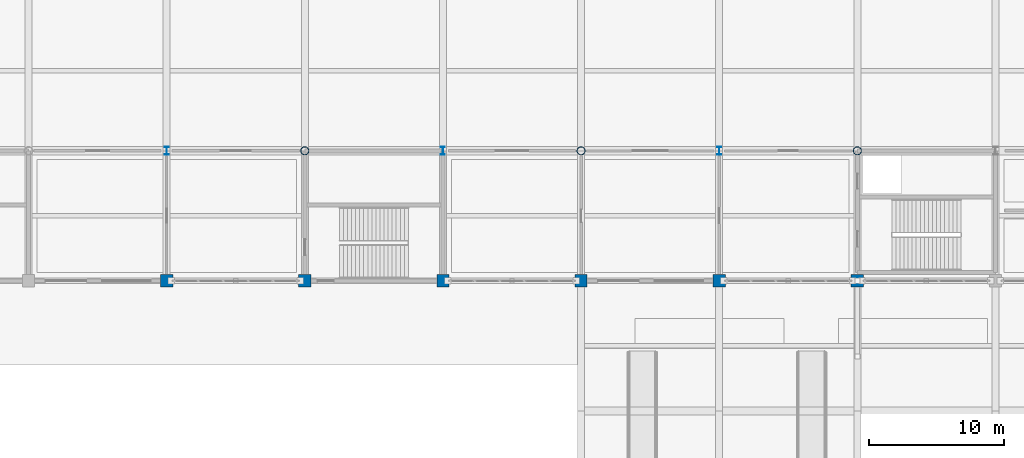
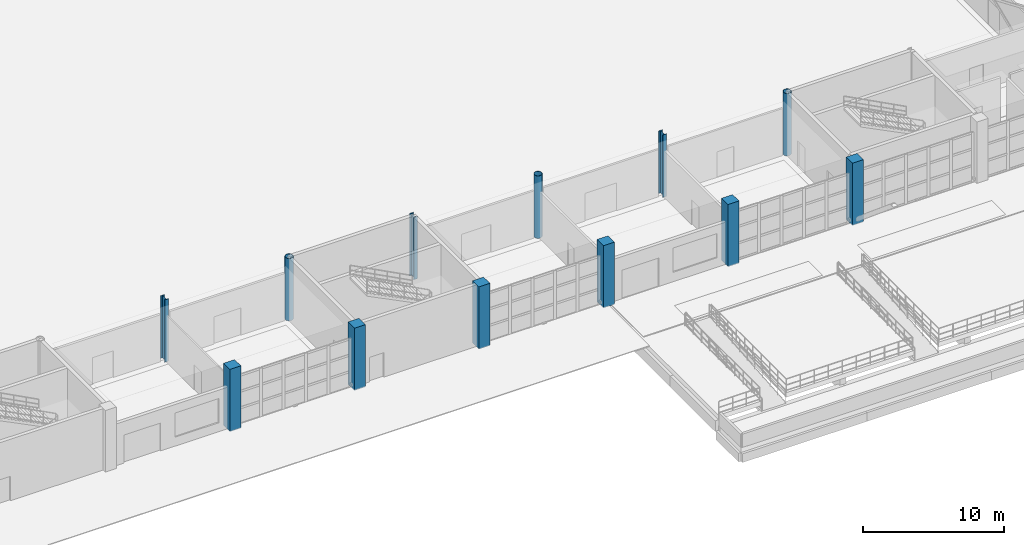
# One storey, part 4 of 124: 12 columns.
"""IFC4 building model written with IfcOpenShell, lengths in metres."""

import ifcopenshell
import ifcopenshell.guid

model = None  # the IFC model being written
_history = None  # IfcOwnerHistory: only IFC2X3 demands one
_inside = {}  # id of a spatial element -> (the spatial element, [elements in it])
_under = {}  # id of a project, library or spatial element -> (it, [spatial elements below it])
_declared = {}  # id of a project -> (the project, [libraries it declares])
_typed = {}  # id of a type object -> (the type object, [elements of that type])
_made_of = {}  # id of a material, layer set ... -> (it, [elements and type objects made of it])


def new_model(schema):
    """Start an empty IFC model of exactly this schema.

    Asked for "IFC4X3", IfcOpenShell would pick the latest addendum, in which some entities
    have other attributes; the version numbers below select the first issue.
    IFC2X3 requires an IfcOwnerHistory on every rooted entity: one is made here for all.
    """
    global model, _history
    if schema == "IFC4X3":
        model = ifcopenshell.file(schema_version=(4, 3, 0, 0))
    else:
        model = ifcopenshell.file(schema=schema)
    _inside.clear()
    _under.clear()
    _declared.clear()
    _typed.clear()
    _made_of.clear()
    _history = None
    if model.schema == "IFC2X3":
        org = make("IfcOrganization", Name="unknown")
        user = make(
            "IfcPersonAndOrganization",
            ThePerson=make("IfcPerson", FamilyName="unknown"),
            TheOrganization=org,
        )
        app = make(
            "IfcApplication",
            ApplicationDeveloper=org,
            Version="unknown",
            ApplicationFullName="unknown",
            ApplicationIdentifier="unknown",
        )
        _history = make(
            "IfcOwnerHistory",
            OwningUser=user,
            OwningApplication=app,
            ChangeAction="ADDED",
            CreationDate=0,
        )
    return model


def make(cls, **values):
    """One entity of the class cls with the attributes given. An attribute that is None is left unset."""
    return model.create_entity(
        cls, **{name: value for name, value in values.items() if value is not None}
    )


def rooted(cls, **values):
    """An entity with a GlobalId (a new one), such as an element, a storey or a relation."""
    return make(cls, GlobalId=ifcopenshell.guid.new(), OwnerHistory=_history, **values)


def si_unit(unit_type, name, prefix=None):
    """IfcSIUnit, for example si_unit("LENGTHUNIT", "METRE", prefix="MILLI")."""
    return make("IfcSIUnit", UnitType=unit_type, Prefix=prefix, Name=name)


def assignment(units):
    """IfcUnitAssignment: the units of a project."""
    return None if units is None else make("IfcUnitAssignment", Units=units)


def point(xyz):
    """IfcCartesianPoint."""
    return None if xyz is None else make("IfcCartesianPoint", Coordinates=xyz)


def direction(xyz):
    """IfcDirection."""
    return None if xyz is None else make("IfcDirection", DirectionRatios=xyz)


def frame(location, z_axis=None, x_axis=None):
    """IfcAxis2Placement3D, a coordinate frame: its origin and axes. An axis left out is left unset."""
    return make(
        "IfcAxis2Placement3D",
        Location=point(location),
        Axis=direction(z_axis),
        RefDirection=direction(x_axis),
    )


def frame_2d(location, x_axis=None):
    """IfcAxis2Placement2D, a coordinate frame in the plane: its origin and x axis."""
    return make(
        "IfcAxis2Placement2D", Location=point(location), RefDirection=direction(x_axis)
    )


def origin():
    """The frame at (0, 0, 0) with its axes left unset."""
    return frame((0.0, 0.0, 0.0))


def origin_2d():
    """The frame at (0, 0) in the plane with its x axis left unset."""
    return frame_2d((0.0, 0.0))


def place(relative_to, where):
    """IfcLocalPlacement: puts the frame where relative to a parent placement (None: the world)."""
    return make(
        "IfcLocalPlacement", PlacementRelTo=relative_to, RelativePlacement=where
    )


def context(
    kind, dimensions, precision=None, world=None, true_north=None, identifier=None
):
    """IfcGeometricRepresentationContext, for example the 3D "Model" context."""
    return make(
        "IfcGeometricRepresentationContext",
        ContextIdentifier=identifier,
        ContextType=kind,
        CoordinateSpaceDimension=dimensions,
        Precision=precision,
        WorldCoordinateSystem=world,
        TrueNorth=true_north,
    )


def subcontext(parent, identifier, kind, view, scale=None):
    """IfcGeometricRepresentationSubContext, for example "Body" below "Model"."""
    return make(
        "IfcGeometricRepresentationSubContext",
        ContextIdentifier=identifier,
        ContextType=kind,
        ParentContext=parent,
        TargetScale=scale,
        TargetView=view,
    )


def project(units=None, contexts=None):
    """IfcProject with its units and contexts."""
    return rooted(
        "IfcProject",
        Name="project",
        RepresentationContexts=contexts,
        UnitsInContext=assignment(units),
    )


def spatial(cls, under=None, at=None, **own):
    """A site, building, storey or space (cls), placed at a placement, below another one or the project."""
    s = rooted(cls, ObjectPlacement=at, **own)
    if under is not None:
        _under.setdefault(under.id(), (under, []))[1].append(s)
    return s


def profile(cls, at=None, kind="AREA", **sizes):
    """A parametric profile (cls). Its sizes go by their IFC names, for example OverallWidth=200.0."""
    return make(cls, ProfileType=kind, Position=at, **sizes)


def rectangle(**sizes):
    """IfcRectangleProfileDef."""
    return profile("IfcRectangleProfileDef", **sizes)


def hollow_circle(**sizes):
    """IfcCircleHollowProfileDef."""
    return profile("IfcCircleHollowProfileDef", **sizes)


def i_section(**sizes):
    """IfcIShapeProfileDef."""
    return profile("IfcIShapeProfileDef", **sizes)


def extrude(swept, where, along, depth):
    """IfcExtrudedAreaSolid: the profile swept, set in the frame where, extruded along a direction by depth."""
    return make(
        "IfcExtrudedAreaSolid",
        SweptArea=swept,
        Position=where,
        ExtrudedDirection=direction(along),
        Depth=depth,
    )


def shape(context_of_items, identifier, shape_type, items):
    """IfcShapeRepresentation: the items that make up one representation, for example the "Body"."""
    return make(
        "IfcShapeRepresentation",
        ContextOfItems=context_of_items,
        RepresentationIdentifier=identifier,
        RepresentationType=shape_type,
        Items=items,
    )


def material(Name=None, Category=None):
    """IfcMaterial."""
    return make("IfcMaterial", Name=Name, Category=Category)


def material_profile(
    of_material, cross_section, Name=None, Category=None, Priority=None
):
    """IfcMaterialProfile: a cross section and its material."""
    return make(
        "IfcMaterialProfile",
        Name=Name,
        Material=of_material,
        Profile=cross_section,
        Priority=Priority,
        Category=Category,
    )


def profile_set(profiles, Name=None, composite=None):
    """IfcMaterialProfileSet."""
    return make(
        "IfcMaterialProfileSet",
        Name=Name,
        MaterialProfiles=profiles,
        CompositeProfile=composite,
    )


def made_of(thing, what):
    """Note that an element or type object is made of a material, layer set ...; save() writes the relation."""
    if what is not None:
        _made_of.setdefault(what.id(), (what, []))[1].append(thing)
    return thing


def type_object(cls, material=None, **own):
    """A type object (cls), such as IfcWallType, which elements share."""
    return made_of(rooted(cls, **own), material)


def element(
    cls,
    number,
    at=None,
    inside=None,
    cuts=None,
    type_object=None,
    material=None,
    context=None,
    identifier="Body",
    shape_type=None,
    held_by="IfcProductDefinitionShape",
    body=None,
    shapes=None,
    **own,
):
    """One element of the class cls, such as IfcWall. Its Tag is "e" and its number.

    at: its placement. inside: the storey or other place that contains it. cuts: it is an
    opening in that element (IfcRelVoidsElement). A single representation is given by context,
    identifier, shape_type and body (its items); several are given by shapes. held_by: the class
    of the entity that holds the representations. save() writes the other relations.
    """
    e = rooted(cls, Tag="e%d" % number, ObjectPlacement=at, **own)
    if body is not None:
        shapes = [shape(context, identifier, shape_type, body)]
    if shapes is not None:
        e.Representation = make(held_by, Representations=shapes)
    if inside is not None:
        _inside.setdefault(inside.id(), (inside, []))[1].append(e)
    if cuts is not None:
        rooted(
            "IfcRelVoidsElement", RelatingBuildingElement=cuts, RelatedOpeningElement=e
        )
    if type_object is not None:
        _typed.setdefault(type_object.id(), (type_object, []))[1].append(e)
    return made_of(e, material)


def aggregate(whole, parts):
    """IfcRelAggregates: a whole, such as a stair, and the parts it consists of."""
    return rooted("IfcRelAggregates", RelatingObject=whole, RelatedObjects=parts)


def save(model, path):
    """Write the relations noted so far, then the file.

    IfcRelAggregates (storeys below a building ...), IfcRelContainedInSpatialStructure (elements
    in a storey), IfcRelDefinesByType, IfcRelAssociatesMaterial and IfcRelDeclares: one each for
    every whole, place, type object, material and project.
    """
    for whole, parts in _under.values():
        aggregate(whole, parts)
    for where, things in _inside.values():
        rooted(
            "IfcRelContainedInSpatialStructure",
            RelatedElements=things,
            RelatingStructure=where,
        )
    for kind, things in _typed.values():
        rooted("IfcRelDefinesByType", RelatedObjects=things, RelatingType=kind)
    for what, things in _made_of.values():
        rooted("IfcRelAssociatesMaterial", RelatedObjects=things, RelatingMaterial=what)
    for by, libraries in _declared.values():
        rooted("IfcRelDeclares", RelatingContext=by, RelatedDefinitions=libraries)
    model.write(path)


model = new_model("IFC4")

# Units and contexts
model_context = context("Model", 3, precision=1e-05, world=origin(), true_north=direction((0.0, 1.0)))
body_context = subcontext(model_context, "Body", "Model", "MODEL_VIEW")
ifc_project = project(units=[si_unit("LENGTHUNIT", "METRE"), si_unit("AREAUNIT", "SQUARE_METRE"), si_unit("VOLUMEUNIT", "CUBIC_METRE"), si_unit("PLANEANGLEUNIT", "RADIAN"), si_unit("MASSUNIT", "GRAM", prefix="KILO")], contexts=[model_context])

# Site, building, storey
site_placement = place(None, origin())
site = spatial("IfcSite", under=ifc_project, at=site_placement, CompositionType="ELEMENT")
building_placement = place(site_placement, origin())
building = spatial("IfcBuilding", under=site, at=building_placement, Name="Brelvane Convention Centre", CompositionType="ELEMENT")
storey_placement = place(building_placement, origin())
storey = spatial("IfcBuildingStorey", under=building, at=storey_placement, Name="L00", CompositionType="ELEMENT", Elevation=0.0)

# Columns
ifc_material_1 = material(Name="Concrete M50", Category="concrete")
ifc_material_profile_1 = material_profile(ifc_material_1, rectangle(XDim=0.89990234375, YDim=0.89990234375, at=origin_2d()), Name="RC 900x900")
ifc_profile_set_1 = profile_set([ifc_material_profile_1], Name="Concrete M50")
column_type_1 = type_object("IfcColumnType", Name="RC Column C-RC2 (RC 900x900)", PredefinedType="COLUMN", material=ifc_profile_set_1)
for number, where, z_axis, x_axis, name in (
    (1, (71.39990234375, 19.199951171875, 0.0), (0.0, 0.0, 1.0), (1.0, 0.0, 0.0), "Column 8-C (L00)"),
    (2, (81.60009765625, 19.199951171875, 0.0), (0.0, 0.0, 1.0), (1.0, 0.0, 0.0), "Column 9-C (L00)"),
    (3, (91.800048828125, 19.199951171875, 0.0), (0.0, 0.0, 1.0), (1.0, 0.0, 0.0), "Column 10-C (L00)"),
    (4, (102.0, 19.199951171875, 0.0), (0.0, 0.0, 1.0), (1.0, 0.0, 0.0), "Column 11-C (L00)"),
    (5, (112.199951171875, 19.199951171875, 0.0), (0.0, 0.0, 1.0), (1.0, 0.0, 0.0), "Column 12-C (L00)"),
    (6, (122.39990234375, 19.199951171875, 0.0), (0.0, 0.0, 1.0), (1.0, 0.0, 0.0), "Column 13-C (L00)"),
):
    element("IfcColumn", number, at=place(storey_placement, frame(where, z_axis=z_axis, x_axis=x_axis)), inside=storey, type_object=column_type_1, Name=name, PredefinedType="COLUMN", context=body_context, shape_type="SweptSolid", body=[
        extrude(rectangle(XDim=0.89990234375, YDim=0.89990234375, at=origin_2d()), origin(), (0.0, 0.0, 1.0), 5.39990234375),
    ])
ifc_material_2 = material(Name="Steel E450 (450 MPa)", Category="steel")
ifc_material_profile_2 = material_profile(ifc_material_2, hollow_circle(Radius=0.304931640625, WallThickness=0.02490234375, at=origin_2d()), Name="CHS 610.0x25.0")
ifc_profile_set_2 = profile_set([ifc_material_profile_2], Name="Steel E450 (450 MPa)")
column_type_2 = type_object("IfcColumnType", Name="Steel Column C-ST1 (CHS 610.0x25.0)", PredefinedType="COLUMN", material=ifc_profile_set_2)
for number, where, z_axis, x_axis, name in (
    (7, (81.60009765625, 28.800048828125, 0.0), (0.0, 0.0, 1.0), (1.0, 0.0, 0.0), "Column 9-D (L00)"),
    (8, (102.0, 28.800048828125, 0.0), (0.0, 0.0, 1.0), (1.0, 0.0, 0.0), "Column 11-D (L00)"),
    (9, (122.39990234375, 28.800048828125, 0.0), (0.0, 0.0, 1.0), (1.0, 0.0, 0.0), "Column 13-D (L00)"),
):
    element("IfcColumn", number, at=place(storey_placement, frame(where, z_axis=z_axis, x_axis=x_axis)), inside=storey, type_object=column_type_2, Name=name, PredefinedType="COLUMN", context=body_context, shape_type="SweptSolid", body=[
        extrude(hollow_circle(Radius=0.304931640625, WallThickness=0.02490234375, at=origin_2d()), origin(), (0.0, 0.0, 1.0), 5.39990234375),
    ])
ifc_material_3 = material(Name="Steel E450 (450 MPa)", Category="steel")
ifc_material_profile_3 = material_profile(ifc_material_3, i_section(OverallWidth=0.300048828125, OverallDepth=0.60009765625, WebThickness=0.015380859375, FlangeThickness=0.030029296875, FilletRadius=0.027099609375, at=origin_2d()), Name="WPB 600x300")
ifc_profile_set_3 = profile_set([ifc_material_profile_3], Name="Steel E450 (450 MPa)")
column_type_3 = type_object("IfcColumnType", Name="Steel Column C-ST5 (WPB 600x300)", PredefinedType="COLUMN", material=ifc_profile_set_3)
for number, where, z_axis, x_axis, name in (
    (10, (71.39990234375, 28.800048828125, 0.0), (0.0, 0.0, 1.0), (1.0, 0.0, 0.0), "Column 8-D (L00)"),
    (11, (91.800048828125, 28.800048828125, 0.0), (0.0, 0.0, 1.0), (1.0, 0.0, 0.0), "Column 10-D (L00)"),
    (12, (112.199951171875, 28.800048828125, 0.0), (0.0, 0.0, 1.0), (1.0, 0.0, 0.0), "Column 12-D (L00)"),
):
    element("IfcColumn", number, at=place(storey_placement, frame(where, z_axis=z_axis, x_axis=x_axis)), inside=storey, type_object=column_type_3, Name=name, PredefinedType="COLUMN", context=body_context, shape_type="SweptSolid", body=[
        extrude(i_section(OverallWidth=0.300048828125, OverallDepth=0.60009765625, WebThickness=0.015380859375, FlangeThickness=0.030029296875, FilletRadius=0.027099609375, at=origin_2d()), origin(), (0.0, 0.0, 1.0), 5.39990234375),
    ])

save(model, "model.ifc")
